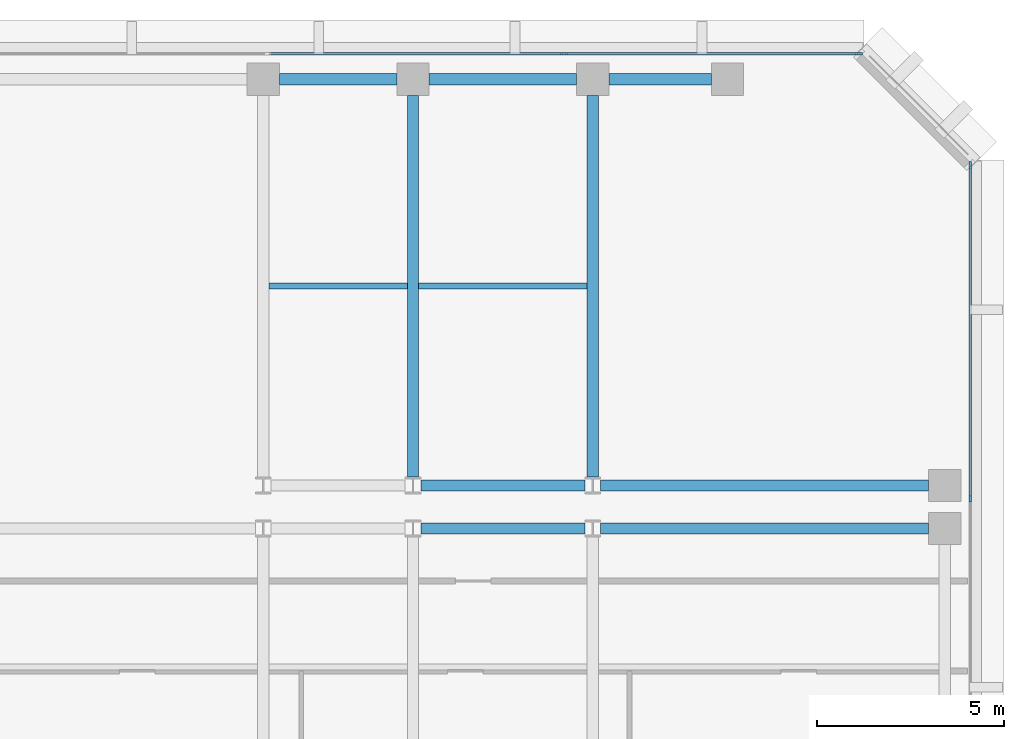
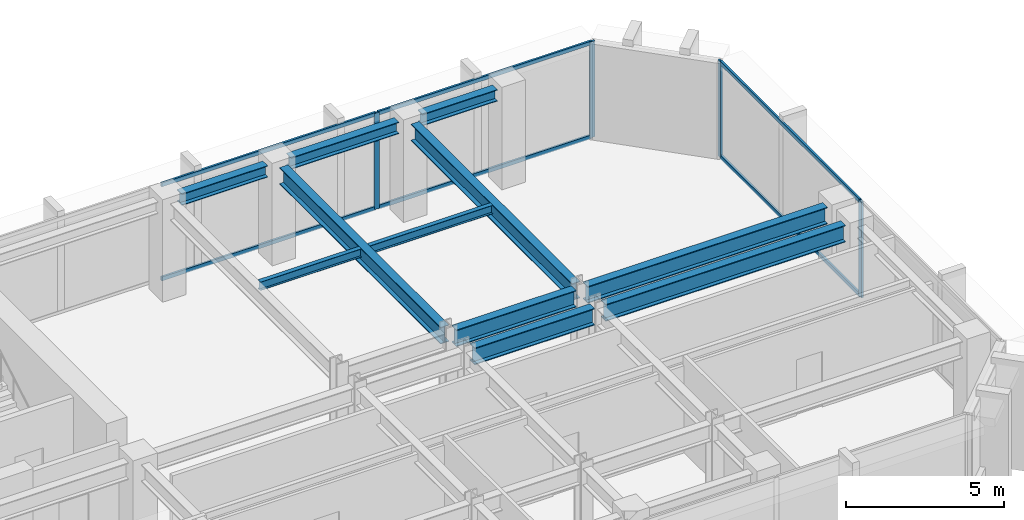
# One storey, part 5 of 12: 11 beams, 10 members, 2 elements without a shape of their own.
"""IFC4 building model written with IfcOpenShell, lengths in metres."""

from ifc_helpers import new_model, si_unit, direction, frame, origin, origin_2d, place, context, subcontext, project, spatial, rectangle, i_section, extrude, material, layer, layer_set, material_profile, profile_set, type_object, element, aggregate, save


model = new_model("IFC4")

# Units and contexts
model_context = context("Model", 3, precision=1e-05, world=origin(), true_north=direction((0.0, 1.0)))
body_context = subcontext(model_context, "Body", "Model", "MODEL_VIEW")
ifc_project = project(units=[si_unit("LENGTHUNIT", "METRE"), si_unit("AREAUNIT", "SQUARE_METRE"), si_unit("VOLUMEUNIT", "CUBIC_METRE"), si_unit("PLANEANGLEUNIT", "RADIAN"), si_unit("MASSUNIT", "GRAM", prefix="KILO")], contexts=[model_context])

# Site, building, storey
site_placement = place(None, origin())
site = spatial("IfcSite", under=ifc_project, at=site_placement, CompositionType="ELEMENT")
building_placement = place(site_placement, origin())
building = spatial("IfcBuilding", under=site, at=building_placement, Name="Kefirva Bronze Tower", CompositionType="ELEMENT")
storey_placement = place(building_placement, frame((0.0, 0.0, 114.510009765625)))
storey = spatial("IfcBuildingStorey", under=building, at=storey_placement, Name="L27", CompositionType="ELEMENT", Elevation=114.510009765625)

# Curtain wall, members
ifc_material_1 = material(Name="Bronze anodised aluminium", Category="aluminium")
ifc_layer = layer(ifc_material_1, 0.199951171875, Name="Bronze anodised aluminium")
ifc_layer_set = layer_set([ifc_layer], Name="Bronze anodised aluminium")
curtain_wall_type = type_object("IfcCurtainWallType", Name="Unitised Bronze Ribbon Curtain Wall Zone 2", PredefinedType="USERDEFINED", material=ifc_layer_set)
curtain_wall_1_placement = place(storey_placement, origin())
curtain_wall_1 = element("IfcCurtainWall", 1, at=curtain_wall_1_placement, inside=storey, type_object=curtain_wall_type, Name="L27 Curtain Wall 4", ObjectType="UNITISED CURTAIN WALL", PredefinedType="USERDEFINED")
ifc_material_profile_1 = material_profile(ifc_material_1, rectangle(XDim=0.074951171875, YDim=0.179931640625, at=origin_2d()), Name="ALU 75x180")
ifc_profile_set_1 = profile_set([ifc_material_profile_1], Name="Bronze anodised aluminium")
member_type_1 = type_object("IfcMemberType", Name="Bronze Mullion 75x180", PredefinedType="MULLION", material=ifc_profile_set_1)
member_1_placement = place(storey_placement, frame((50.080078125, 34.0, 0.0), z_axis=(0.0, 0.0, 1.0), x_axis=(-1.0, 0.0, 0.0)))
member_1 = element("IfcMember", 2, at=member_1_placement, type_object=member_type_1, Name="CW-02 mullion 2", PredefinedType="MULLION", context=body_context, shape_type="SweptSolid", body=[
    extrude(rectangle(XDim=0.074951171875, YDim=0.179931640625, at=origin_2d()), origin(), (0.0, 0.0, 1.0), 3.7099609375),
])
member_2_placement = place(storey_placement, frame((50.080078125, 42.907470703125, 0.0), z_axis=(0.0, 0.0, 1.0), x_axis=(-1.0, 0.0, 0.0)))
member_2 = element("IfcMember", 3, at=member_2_placement, type_object=member_type_1, Name="CW-02 mullion 3", PredefinedType="MULLION", context=body_context, shape_type="SweptSolid", body=[
    extrude(rectangle(XDim=0.074951171875, YDim=0.179931640625, at=origin_2d()), origin(), (0.0, 0.0, 1.0), 3.7099609375),
])

curtain_wall_2_placement = place(storey_placement, origin())
curtain_wall_2 = element("IfcCurtainWall", 4, at=curtain_wall_2_placement, inside=storey, type_object=curtain_wall_type, Name="L27 Curtain Wall 5", ObjectType="UNITISED CURTAIN WALL", PredefinedType="USERDEFINED")
member_3_placement = place(storey_placement, frame((47.107421875, 45.8798828125, 0.0), z_axis=(0.0, 0.0, 1.0), x_axis=(0.0, -1.0, 0.0)))
member_3 = element("IfcMember", 5, at=member_3_placement, type_object=member_type_1, Name="CW-02 mullion 1", PredefinedType="MULLION", context=body_context, shape_type="SweptSolid", body=[
    extrude(rectangle(XDim=0.074951171875, YDim=0.179931640625, at=origin_2d()), origin(), (0.0, 0.0, 1.0), 3.7099609375),
])
member_4_placement = place(storey_placement, frame((39.231689453125, 45.8798828125, 0.0), z_axis=(0.0, 0.0, 1.0), x_axis=(0.0, -1.0, 0.0)))
member_4 = element("IfcMember", 6, at=member_4_placement, type_object=member_type_1, Name="CW-02 mullion 2", PredefinedType="MULLION", context=body_context, shape_type="SweptSolid", body=[
    extrude(rectangle(XDim=0.074951171875, YDim=0.179931640625, at=origin_2d()), origin(), (0.0, 0.0, 1.0), 3.7099609375),
])

# Member
ifc_material_profile_2 = material_profile(ifc_material_1, rectangle(XDim=0.074951171875, YDim=0.14990234375, at=origin_2d()), Name="ALU 75x150")
ifc_profile_set_2 = profile_set([ifc_material_profile_2], Name="Bronze anodised aluminium")
member_type_2 = type_object("IfcMemberType", Name="Bronze Transom 75x150", PredefinedType="USERDEFINED", material=ifc_profile_set_2)
member_5_placement = place(storey_placement, frame((50.080078125, 34.03759765625, 0.03759765625), z_axis=(0.0, 1.0, 0.0), x_axis=(-1.0, 0.0, 0.0)))
member_5 = element("IfcMember", 7, at=member_5_placement, type_object=member_type_2, Name="CW-02 transom 2.1", ObjectType="TRANSOM", PredefinedType="USERDEFINED", context=body_context, shape_type="SweptSolid", body=[
    extrude(rectangle(XDim=0.074951171875, YDim=0.14990234375, at=origin_2d()), origin(), (0.0, 0.0, 1.0), 8.83251953125),
])

member_6_placement = place(storey_placement, frame((50.080078125, 34.03759765625, 3.672607421875), z_axis=(0.0, 1.0, 0.0), x_axis=(-1.0, 0.0, 0.0)))
member_6 = element("IfcMember", 8, at=member_6_placement, type_object=member_type_2, Name="CW-02 transom 2.2", ObjectType="TRANSOM", PredefinedType="USERDEFINED", context=body_context, shape_type="SweptSolid", body=[
    extrude(rectangle(XDim=0.074951171875, YDim=0.14990234375, at=origin_2d()), origin(), (0.0, 0.0, 1.0), 8.83251953125),
])

aggregate(curtain_wall_1, [member_1, member_2, member_5, member_6])

member_7_placement = place(storey_placement, frame((47.070068359375, 45.8798828125, 0.03759765625), z_axis=(-1.0, 0.0, 0.0), x_axis=(0.0, -1.0, 0.0)))
member_7 = element("IfcMember", 9, at=member_7_placement, type_object=member_type_2, Name="CW-02 transom 1.1", ObjectType="TRANSOM", PredefinedType="USERDEFINED", context=body_context, shape_type="SweptSolid", body=[
    extrude(rectangle(XDim=0.074951171875, YDim=0.14990234375, at=origin_2d()), origin(), (0.0, 0.0, 1.0), 7.80078125),
])

member_8_placement = place(storey_placement, frame((47.070068359375, 45.8798828125, 3.672607421875), z_axis=(-1.0, 0.0, 0.0), x_axis=(0.0, -1.0, 0.0)))
member_8 = element("IfcMember", 10, at=member_8_placement, type_object=member_type_2, Name="CW-02 transom 1.2", ObjectType="TRANSOM", PredefinedType="USERDEFINED", context=body_context, shape_type="SweptSolid", body=[
    extrude(rectangle(XDim=0.074951171875, YDim=0.14990234375, at=origin_2d()), origin(), (0.0, 0.0, 1.0), 7.80078125),
])

member_9_placement = place(storey_placement, frame((39.194091796875, 45.8798828125, 0.03759765625), z_axis=(-1.0, 0.0, 0.0), x_axis=(0.0, -1.0, 0.0)))
member_9 = element("IfcMember", 11, at=member_9_placement, type_object=member_type_2, Name="CW-02 transom 2.1", ObjectType="TRANSOM", PredefinedType="USERDEFINED", context=body_context, shape_type="SweptSolid", body=[
    extrude(rectangle(XDim=0.074951171875, YDim=0.14990234375, at=origin_2d()), origin(), (0.0, 0.0, 1.0), 7.83837890625),
])

member_10_placement = place(storey_placement, frame((39.194091796875, 45.8798828125, 3.672607421875), z_axis=(-1.0, 0.0, 0.0), x_axis=(0.0, -1.0, 0.0)))
member_10 = element("IfcMember", 12, at=member_10_placement, type_object=member_type_2, Name="CW-02 transom 2.2", ObjectType="TRANSOM", PredefinedType="USERDEFINED", context=body_context, shape_type="SweptSolid", body=[
    extrude(rectangle(XDim=0.074951171875, YDim=0.14990234375, at=origin_2d()), origin(), (0.0, 0.0, 1.0), 7.83837890625),
])

aggregate(curtain_wall_2, [member_3, member_4, member_7, member_8, member_9, member_10])

# Beams
ifc_material_2 = material(Name="Steel S355", Category="steel")
ifc_material_profile_3 = material_profile(ifc_material_2, i_section(OverallWidth=0.159912109375, OverallDepth=0.330078125, WebThickness=0.007568359375, FlangeThickness=0.011474609375, at=origin_2d()), Name="IPE 330")
ifc_profile_set_3 = profile_set([ifc_material_profile_3], Name="Steel S355")
beam_type_1 = type_object("IfcBeamType", Name="Steel Floor Joist IPE 330", PredefinedType="JOIST", material=ifc_profile_set_3)
beam_1_placement = place(storey_placement, frame((31.35009765625, 39.673583984375, 3.544921875), z_axis=(1.0, 0.0, 0.0), x_axis=(0.0, 1.0, 0.0)))
element("IfcBeam", 13, at=beam_1_placement, inside=storey, type_object=beam_type_1, Name="L27 JST-L27-31-396", PredefinedType="JOIST", context=body_context, shape_type="SweptSolid", body=[
    extrude(i_section(OverallWidth=0.159912109375, OverallDepth=0.330078125, WebThickness=0.007568359375, FlangeThickness=0.011474609375, at=origin_2d()), origin(), (0.0, 0.0, 1.0), 3.699951171875),
])
beam_2_placement = place(storey_placement, frame((35.35009765625, 39.673583984375, 3.544921875), z_axis=(1.0, 0.0, 0.0), x_axis=(0.0, 1.0, 0.0)))
element("IfcBeam", 14, at=beam_2_placement, inside=storey, type_object=beam_type_1, Name="L27 JST-L27-35-396", PredefinedType="JOIST", context=body_context, shape_type="SweptSolid", body=[
    extrude(i_section(OverallWidth=0.159912109375, OverallDepth=0.330078125, WebThickness=0.007568359375, FlangeThickness=0.011474609375, at=origin_2d()), origin(), (0.0, 0.0, 1.0), 4.5),
])
ifc_material_profile_4 = material_profile(ifc_material_2, i_section(OverallWidth=0.300048828125, OverallDepth=0.64990234375, WebThickness=0.01611328125, FlangeThickness=0.031005859375, at=origin_2d()), Name="HEB 650")
ifc_profile_set_4 = profile_set([ifc_material_profile_4], Name="Steel S355")
beam_type_2 = type_object("IfcBeamType", Name="Steel Girder HEB 650", PredefinedType="USERDEFINED", material=ifc_profile_set_4)
beam_3_placement = place(storey_placement, frame((35.408935546875, 33.199951171875, 3.385009765625), z_axis=(1.0, 0.0, 0.0), x_axis=(0.0, 1.0, 0.0)))
element("IfcBeam", 15, at=beam_3_placement, inside=storey, type_object=beam_type_2, Name="L27 BM-L27-EW-35-332", ObjectType="GIRDER", PredefinedType="USERDEFINED", context=body_context, shape_type="SweptSolid", body=[
    extrude(i_section(OverallWidth=0.300048828125, OverallDepth=0.64990234375, WebThickness=0.01611328125, FlangeThickness=0.031005859375, at=origin_2d()), origin(), (0.0, 0.0, 1.0), 4.382080078125),
])
beam_4_placement = place(storey_placement, frame((40.208984375, 33.199951171875, 3.385009765625), z_axis=(1.0, 0.0, 0.0), x_axis=(0.0, 1.0, 0.0)))
element("IfcBeam", 16, at=beam_4_placement, inside=storey, type_object=beam_type_2, Name="L27 BM-L27-EW-40-332", ObjectType="GIRDER", PredefinedType="USERDEFINED", context=body_context, shape_type="SweptSolid", body=[
    extrude(i_section(OverallWidth=0.300048828125, OverallDepth=0.64990234375, WebThickness=0.01611328125, FlangeThickness=0.031005859375, at=origin_2d()), origin(), (0.0, 0.0, 1.0), 8.760986328125),
])
beam_5_placement = place(storey_placement, frame((35.408935546875, 34.35009765625, 3.385009765625), z_axis=(1.0, 0.0, 0.0), x_axis=(0.0, 1.0, 0.0)))
element("IfcBeam", 17, at=beam_5_placement, inside=storey, type_object=beam_type_2, Name="L27 BM-L27-EW-35-344", ObjectType="GIRDER", PredefinedType="USERDEFINED", context=body_context, shape_type="SweptSolid", body=[
    extrude(i_section(OverallWidth=0.300048828125, OverallDepth=0.64990234375, WebThickness=0.01611328125, FlangeThickness=0.031005859375, at=origin_2d()), origin(), (0.0, 0.0, 1.0), 4.382080078125),
])
beam_6_placement = place(storey_placement, frame((40.208984375, 34.35009765625, 3.385009765625), z_axis=(1.0, 0.0, 0.0), x_axis=(0.0, 1.0, 0.0)))
element("IfcBeam", 18, at=beam_6_placement, inside=storey, type_object=beam_type_2, Name="L27 BM-L27-EW-40-344", ObjectType="GIRDER", PredefinedType="USERDEFINED", context=body_context, shape_type="SweptSolid", body=[
    extrude(i_section(OverallWidth=0.300048828125, OverallDepth=0.64990234375, WebThickness=0.01611328125, FlangeThickness=0.031005859375, at=origin_2d()), origin(), (0.0, 0.0, 1.0), 8.760986328125),
])
for number, where, z_axis, x_axis, name in (
    (19, (35.199951171875, 34.577392578125, 3.385009765625), (0.0, 1.0, 0.0), (-1.0, 0.0, 0.0), "L27 BM-L27-NS-352-34"),
    (20, (40.0, 34.577392578125, 3.385009765625), (0.0, 1.0, 0.0), (-1.0, 0.0, 0.0), "L27 BM-L27-NS-400-34"),
):
    element("IfcBeam", number, at=place(storey_placement, frame(where, z_axis=z_axis, x_axis=x_axis)), inside=storey, type_object=beam_type_2, Name=name, ObjectType="GIRDER", PredefinedType="USERDEFINED", context=body_context, shape_type="SweptSolid", body=[
        extrude(i_section(OverallWidth=0.300048828125, OverallDepth=0.64990234375, WebThickness=0.01611328125, FlangeThickness=0.031005859375, at=origin_2d()), origin(), (0.0, 0.0, 1.0), 10.192626953125),
    ])
ifc_material_profile_5 = material_profile(ifc_material_2, i_section(OverallWidth=0.300048828125, OverallDepth=0.449951171875, WebThickness=0.013916015625, FlangeThickness=0.02587890625, at=origin_2d()), Name="HEB 450")
ifc_profile_set_5 = profile_set([ifc_material_profile_5], Name="Steel S355")
beam_type_3 = type_object("IfcBeamType", Name="Steel Spandrel HEB 450 Ext", PredefinedType="SPANDREL", material=ifc_profile_set_5)
beam_7_placement = place(storey_placement, frame((31.6298828125, 45.199951171875, 3.485107421875), z_axis=(1.0, 0.0, 0.0), x_axis=(0.0, 1.0, 0.0)))
element("IfcBeam", 21, at=beam_7_placement, inside=storey, type_object=beam_type_3, Name="L27 BM-L27-EW-31-452", PredefinedType="SPANDREL", context=body_context, shape_type="SweptSolid", body=[
    extrude(i_section(OverallWidth=0.300048828125, OverallDepth=0.449951171875, WebThickness=0.013916015625, FlangeThickness=0.02587890625, at=origin_2d()), origin(), (0.0, 0.0, 1.0), 3.14013671875),
])
beam_8_placement = place(storey_placement, frame((35.6298828125, 45.199951171875, 3.485107421875), z_axis=(1.0, 0.0, 0.0), x_axis=(0.0, 1.0, 0.0)))
element("IfcBeam", 22, at=beam_8_placement, inside=storey, type_object=beam_type_3, Name="L27 BM-L27-EW-35-452", PredefinedType="SPANDREL", context=body_context, shape_type="SweptSolid", body=[
    extrude(i_section(OverallWidth=0.300048828125, OverallDepth=0.449951171875, WebThickness=0.013916015625, FlangeThickness=0.02587890625, at=origin_2d()), origin(), (0.0, 0.0, 1.0), 3.940185546875),
])
beam_9_placement = place(storey_placement, frame((40.429931640625, 45.199951171875, 3.485107421875), z_axis=(1.0, 0.0, 0.0), x_axis=(0.0, 1.0, 0.0)))
element("IfcBeam", 23, at=beam_9_placement, inside=storey, type_object=beam_type_3, Name="L27 BM-L27-EW-40-452", PredefinedType="SPANDREL", context=body_context, shape_type="SweptSolid", body=[
    extrude(i_section(OverallWidth=0.300048828125, OverallDepth=0.449951171875, WebThickness=0.013916015625, FlangeThickness=0.02587890625, at=origin_2d()), origin(), (0.0, 0.0, 1.0), 2.739990234375),
])

save(model, "model.ifc")
